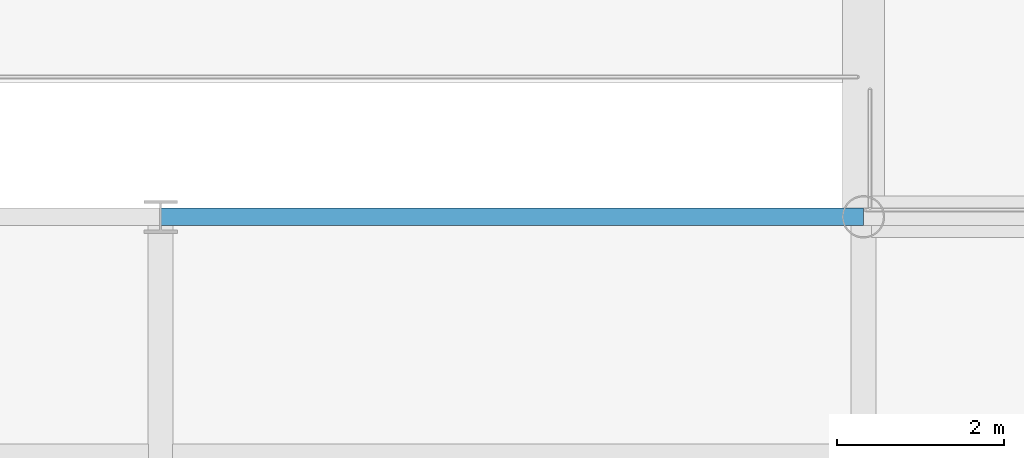
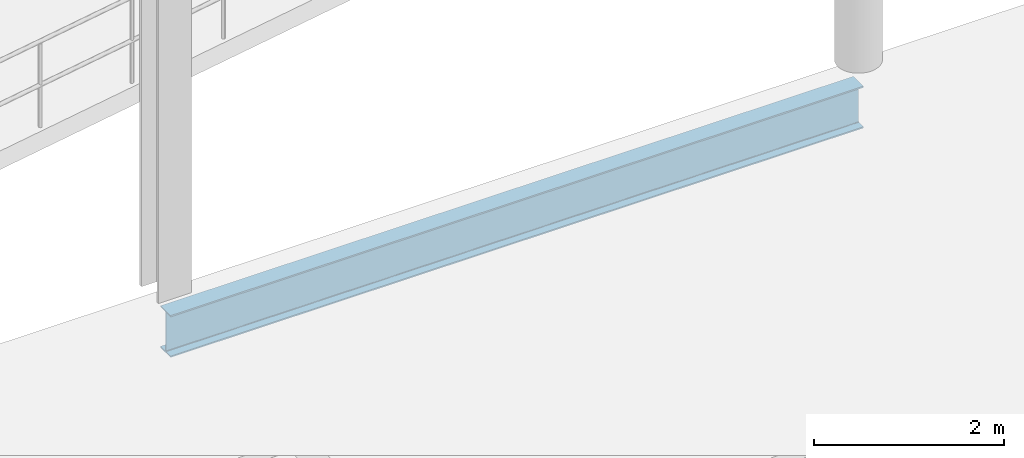
# One storey, part 50 of 111: 1 beam.
"""IFC4 building model written with IfcOpenShell, lengths in metres."""

from ifc_helpers import new_model, si_unit, direction, frame, origin, origin_2d, place, context, subcontext, project, spatial, i_section, extrude, material, material_profile, profile_set, type_object, element, save


model = new_model("IFC4")

# Units and contexts
model_context = context("Model", 3, precision=1e-05, world=origin(), true_north=direction((0.0, 1.0)))
body_context = subcontext(model_context, "Body", "Model", "MODEL_VIEW")
ifc_project = project(units=[si_unit("LENGTHUNIT", "METRE"), si_unit("AREAUNIT", "SQUARE_METRE"), si_unit("VOLUMEUNIT", "CUBIC_METRE"), si_unit("PLANEANGLEUNIT", "RADIAN"), si_unit("MASSUNIT", "GRAM", prefix="KILO"), si_unit("THERMODYNAMICTEMPERATUREUNIT", "KELVIN"), si_unit("POWERUNIT", "WATT")], contexts=[model_context])

# Site, building, storey
site_placement = place(None, origin())
site = spatial("IfcSite", under=ifc_project, at=site_placement, CompositionType="ELEMENT")
building_placement = place(site_placement, origin())
building = spatial("IfcBuilding", under=site, at=building_placement, Name="Tembeka Court Mobility Hub", CompositionType="ELEMENT")
storey_placement = place(building_placement, origin())
storey = spatial("IfcBuildingStorey", under=building, at=storey_placement, Name="L00", CompositionType="ELEMENT", Elevation=0.0)

# Beam
ifc_material = material(Name="Steel S355", Category="steel")
ifc_material_profile = material_profile(ifc_material, i_section(OverallWidth=0.2099609375, OverallDepth=0.537109375, WebThickness=0.0107421875, FlangeThickness=0.017333984375, FilletRadius=0.0126953125, at=origin_2d()), Name="UKB 533x210x101")
ifc_profile_set = profile_set([ifc_material_profile], Name="Steel S355")
beam_type = type_object("IfcBeamType", Name="BM-G03", PredefinedType="USERDEFINED", material=ifc_profile_set)
beam_placement = place(storey_placement, frame((25.199951171875, 97.199951171875, -0.548583984375), z_axis=(1.0, 0.0, 0.0), x_axis=(0.0, 1.0, 0.0)))
element("IfcBeam", 1, at=beam_placement, inside=storey, type_object=beam_type, Name="Beam G03 (BM-L00-X0140)", ObjectType="GIRDER", PredefinedType="USERDEFINED", context=body_context, shape_type="SweptSolid", body=[
    extrude(i_section(OverallWidth=0.2099609375, OverallDepth=0.537109375, WebThickness=0.0107421875, FlangeThickness=0.017333984375, FilletRadius=0.0126953125, at=origin_2d()), origin(), (0.0, 0.0, 1.0), 8.400146484375),
])

save(model, "model.ifc")
